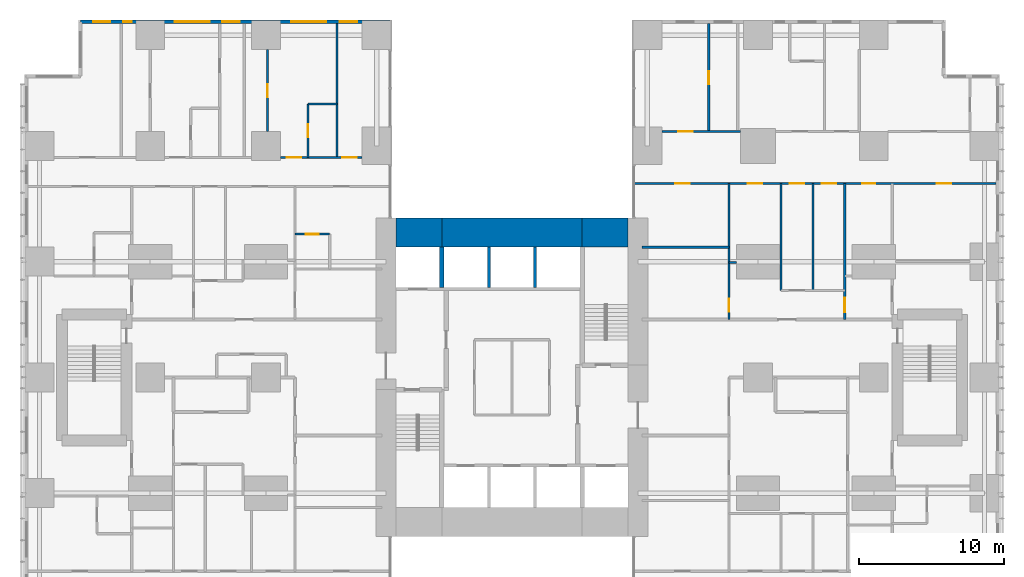
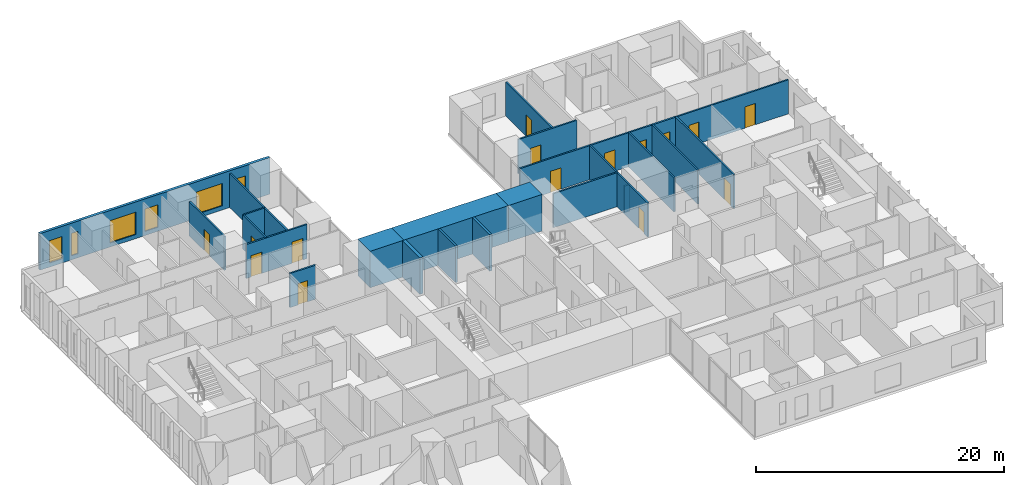
# One storey, part 17 of 20: 22 walls, 15 doors, 6 windows, 21 openings.
"""IFC4 building model written with IfcOpenShell, lengths in metres."""

from ifc_helpers import new_model, si_unit, direction, frame, frame_2d, origin, place, context, subcontext, project, spatial, rectangle, extrude, material, layer, layer_set, type_object, element, fill, save


model = new_model("IFC4")

# Units and contexts
model_context = context("Model", 3, precision=1e-05, world=origin(), true_north=direction((0.0, 1.0)))
body_context = subcontext(model_context, "Body", "Model", "MODEL_VIEW")
ifc_project = project(units=[si_unit("LENGTHUNIT", "METRE"), si_unit("AREAUNIT", "SQUARE_METRE"), si_unit("VOLUMEUNIT", "CUBIC_METRE"), si_unit("PLANEANGLEUNIT", "RADIAN"), si_unit("MASSUNIT", "GRAM", prefix="KILO")], contexts=[model_context])

# Site, building, storey
site_placement = place(None, origin())
site = spatial("IfcSite", under=ifc_project, at=site_placement, CompositionType="ELEMENT")
building_placement = place(site_placement, origin())
building = spatial("IfcBuilding", under=site, at=building_placement, Name="Cleftline Residences", CompositionType="ELEMENT")
storey_placement = place(building_placement, frame((0.0, 0.0, 114.199951171875)))
storey = spatial("IfcBuildingStorey", under=building, at=storey_placement, Name="L29", CompositionType="ELEMENT", Elevation=114.199951171875)

# Walls
ifc_material_1 = material(Name="Concrete B70", Category="concrete")
ifc_layer_1 = layer(ifc_material_1, 2.0)
ifc_layer_set_1 = layer_set([ifc_layer_1], Name="CORE WALL 2000")
wall_type_1 = type_object("IfcWallType", Name="CORE WALL 2000", PredefinedType="SHEAR", material=ifc_layer_set_1)
wall_1_placement = place(storey_placement, frame((25.0, 34.0, 0.0), z_axis=(0.0, 0.0, 1.0), x_axis=(1.0, 0.0, 0.0)))
element("IfcWall", 1, at=wall_1_placement, inside=storey, type_object=wall_type_1, Name="Core wall N1", PredefinedType="SHEAR", context=body_context, shape_type="SweptSolid", body=[
    extrude(rectangle(XDim=3.14990234375, YDim=2.0, at=frame_2d((1.574951171875, 0.0))), origin(), (0.0, 0.0, 1.0), 3.60009765625),
])
wall_2_placement = place(storey_placement, frame((28.14990234375, 34.0, 0.0), z_axis=(0.0, 0.0, 1.0), x_axis=(1.0, 0.0, 0.0)))
element("IfcWall", 2, at=wall_2_placement, inside=storey, type_object=wall_type_1, Name="Core wall N2", PredefinedType="SHEAR", context=body_context, shape_type="SweptSolid", body=[
    extrude(rectangle(XDim=9.7001953125, YDim=2.0, at=frame_2d((4.85009765625, 0.0))), origin(), (0.0, 0.0, 1.0), 3.60009765625),
])
wall_3_placement = place(storey_placement, frame((37.85009765625, 34.0, 0.0), z_axis=(0.0, 0.0, 1.0), x_axis=(1.0, 0.0, 0.0)))
element("IfcWall", 3, at=wall_3_placement, inside=storey, type_object=wall_type_1, Name="Core wall N3", PredefinedType="SHEAR", context=body_context, shape_type="SweptSolid", body=[
    extrude(rectangle(XDim=3.14990234375, YDim=2.0, at=frame_2d((1.574951171875, 0.0))), origin(), (0.0, 0.0, 1.0), 3.60009765625),
])
ifc_material_2 = material(Name="Concrete B70", Category="concrete")
ifc_layer_2 = layer(ifc_material_2, 0.300048828125)
ifc_layer_set_2 = layer_set([ifc_layer_2], Name="CORE WALL 300")
wall_type_2 = type_object("IfcWallType", Name="CORE WALL 300", PredefinedType="SHEAR", material=ifc_layer_set_2)
wall_4_placement = place(storey_placement, frame((28.14990234375, 30.199951171875, 0.0), z_axis=(0.0, 0.0, 1.0), x_axis=(0.0, 1.0, 0.0)))
element("IfcWall", 4, at=wall_4_placement, inside=storey, type_object=wall_type_2, Name="Lift shaft wall", PredefinedType="SHEAR", context=body_context, shape_type="SweptSolid", body=[
    extrude(rectangle(XDim=2.800048828125, YDim=0.300048828125, at=frame_2d((1.39990234375, 0.0))), origin(), (0.0, 0.0, 1.0), 3.60009765625),
])

# Wall, openings, windows
ifc_material_3 = material(Name="Rendered reinforced concrete blockwork", Category="masonry")
ifc_layer_3 = layer(ifc_material_3, 0.25)
ifc_layer_set_3 = layer_set([ifc_layer_3], Name="EXTERNAL WALL 250")
wall_type_3 = type_object("IfcWallType", Name="EXTERNAL WALL 250", PredefinedType="SOLIDWALL", material=ifc_layer_set_3)
wall_5_placement = place(storey_placement, frame((24.574951171875, 48.574951171875, 0.0), z_axis=(0.0, 0.0, 1.0), x_axis=(-1.0, 0.0, 0.0)))
wall_5 = element("IfcWall", 5, at=wall_5_placement, inside=storey, type_object=wall_type_3, Name="External wall", PredefinedType="SOLIDWALL", context=body_context, shape_type="SweptSolid", body=[
    extrude(rectangle(XDim=21.39990234375, YDim=0.25, at=frame_2d((10.699951171875, 0.0))), origin(), (0.0, 0.0, 1.0), 3.60009765625),
])
opening_1_placement = place(wall_5_placement, frame((2.27490234375, 0.0, 0.39990234375)))
opening_1 = element("IfcOpeningElement", 6, at=opening_1_placement, cuts=wall_5, Name="Opening W11", PredefinedType="OPENING", context=body_context, shape_type="SweptSolid", body=[
    extrude(rectangle(XDim=1.199951171875, YDim=2.199951171875, at=frame_2d((0.60009765625, 1.10009765625))), frame((0.0, 0.135009765625, 0.0), z_axis=(0.0, -1.0, 0.0), x_axis=(1.0, 0.0, 0.0)), (0.0, 0.0, 1.0), 0.27001953125),
])
opening_2_placement = place(wall_5_placement, frame((4.425048828125, 0.0, 0.39990234375)))
opening_2 = element("IfcOpeningElement", 7, at=opening_2_placement, cuts=wall_5, Name="Opening W12", PredefinedType="OPENING", context=body_context, shape_type="SweptSolid", body=[
    extrude(rectangle(XDim=2.39990234375, YDim=2.199951171875, at=frame_2d((1.199951171875, 1.10009765625))), frame((0.0, 0.135009765625, 0.0), z_axis=(0.0, -1.0, 0.0), x_axis=(1.0, 0.0, 0.0)), (0.0, 0.0, 1.0), 0.27001953125),
])
opening_3_placement = place(wall_5_placement, frame((10.39990234375, 0.0, 0.39990234375)))
opening_3 = element("IfcOpeningElement", 8, at=opening_3_placement, cuts=wall_5, Name="Opening W11", PredefinedType="OPENING", context=body_context, shape_type="SweptSolid", body=[
    extrude(rectangle(XDim=1.199951171875, YDim=2.199951171875, at=frame_2d((0.60009765625, 1.10009765625))), frame((0.0, 0.135009765625, 0.0), z_axis=(0.0, -1.0, 0.0), x_axis=(1.0, 0.0, 0.0)), (0.0, 0.0, 1.0), 0.27001953125),
])
opening_4_placement = place(wall_5_placement, frame((12.47509765625, 0.0, 0.39990234375)))
opening_4 = element("IfcOpeningElement", 9, at=opening_4_placement, cuts=wall_5, Name="Opening W12", PredefinedType="OPENING", context=body_context, shape_type="SweptSolid", body=[
    extrude(rectangle(XDim=2.39990234375, YDim=2.199951171875, at=frame_2d((1.199951171875, 1.10009765625))), frame((0.0, 0.135009765625, 0.0), z_axis=(0.0, -1.0, 0.0), x_axis=(1.0, 0.0, 0.0)), (0.0, 0.0, 1.0), 0.27001953125),
])
opening_5_placement = place(wall_5_placement, frame((17.85009765625, 0.0, 0.39990234375)))
opening_5 = element("IfcOpeningElement", 10, at=opening_5_placement, cuts=wall_5, Name="Opening W10", PredefinedType="OPENING", context=body_context, shape_type="SweptSolid", body=[
    extrude(rectangle(XDim=0.60009765625, YDim=2.199951171875, at=frame_2d((0.300048828125, 1.10009765625))), frame((0.0, 0.135009765625, 0.0), z_axis=(0.0, -1.0, 0.0), x_axis=(1.0, 0.0, 0.0)), (0.0, 0.0, 1.0), 0.27001953125),
])
opening_6_placement = place(wall_5_placement, frame((19.324951171875, 0.0, 0.39990234375)))
opening_6 = element("IfcOpeningElement", 11, at=opening_6_placement, cuts=wall_5, Name="Opening W11", PredefinedType="OPENING", context=body_context, shape_type="SweptSolid", body=[
    extrude(rectangle(XDim=1.199951171875, YDim=2.199951171875, at=frame_2d((0.60009765625, 1.10009765625))), frame((0.0, 0.135009765625, 0.0), z_axis=(0.0, -1.0, 0.0), x_axis=(1.0, 0.0, 0.0)), (0.0, 0.0, 1.0), 0.27001953125),
])
ifc_material_4 = material(Name="Aluminium frame, clear double glazing", Category="aluminium")
window_type_1 = type_object("IfcWindowType", Name="WINDOW 1200X2200", PartitioningType="DOUBLE_PANEL_VERTICAL", PredefinedType="WINDOW", material=ifc_material_4)
window_1_placement = place(opening_1_placement, origin())
window_1 = element("IfcWindow", 12, at=window_1_placement, inside=storey, type_object=window_type_1, Name="Window", OverallHeight=2.199951171875, OverallWidth=1.199951171875, PartitioningType="SINGLE_PANEL", PredefinedType="WINDOW", context=body_context, shape_type="SweptSolid", body=[
    extrude(rectangle(XDim=1.199951171875, YDim=2.199951171875, at=frame_2d((0.60009765625, 1.10009765625))), frame((0.0, 0.030029296875, 0.0), z_axis=(0.0, -1.0, 0.0), x_axis=(1.0, 0.0, 0.0)), (0.0, 0.0, 1.0), 0.06005859375),
])
fill(opening_1, window_1)
window_2_placement = place(opening_3_placement, origin())
window_2 = element("IfcWindow", 13, at=window_2_placement, inside=storey, type_object=window_type_1, Name="Window", OverallHeight=2.199951171875, OverallWidth=1.199951171875, PartitioningType="SINGLE_PANEL", PredefinedType="WINDOW", context=body_context, shape_type="SweptSolid", body=[
    extrude(rectangle(XDim=1.199951171875, YDim=2.199951171875, at=frame_2d((0.60009765625, 1.10009765625))), frame((0.0, 0.030029296875, 0.0), z_axis=(0.0, -1.0, 0.0), x_axis=(1.0, 0.0, 0.0)), (0.0, 0.0, 1.0), 0.06005859375),
])
fill(opening_3, window_2)
window_3_placement = place(opening_6_placement, origin())
window_3 = element("IfcWindow", 14, at=window_3_placement, inside=storey, type_object=window_type_1, Name="Window", OverallHeight=2.199951171875, OverallWidth=1.199951171875, PartitioningType="SINGLE_PANEL", PredefinedType="WINDOW", context=body_context, shape_type="SweptSolid", body=[
    extrude(rectangle(XDim=1.199951171875, YDim=2.199951171875, at=frame_2d((0.60009765625, 1.10009765625))), frame((0.0, 0.030029296875, 0.0), z_axis=(0.0, -1.0, 0.0), x_axis=(1.0, 0.0, 0.0)), (0.0, 0.0, 1.0), 0.06005859375),
])
fill(opening_6, window_3)
ifc_material_5 = material(Name="Aluminium frame, clear double glazing", Category="aluminium")
window_type_2 = type_object("IfcWindowType", Name="WINDOW 2400X2200", PartitioningType="DOUBLE_PANEL_VERTICAL", PredefinedType="WINDOW", material=ifc_material_5)
window_4_placement = place(opening_2_placement, origin())
window_4 = element("IfcWindow", 15, at=window_4_placement, inside=storey, type_object=window_type_2, Name="Window", OverallHeight=2.199951171875, OverallWidth=2.39990234375, PartitioningType="SINGLE_PANEL", PredefinedType="WINDOW", context=body_context, shape_type="SweptSolid", body=[
    extrude(rectangle(XDim=2.39990234375, YDim=2.199951171875, at=frame_2d((1.199951171875, 1.10009765625))), frame((0.0, 0.030029296875, 0.0), z_axis=(0.0, -1.0, 0.0), x_axis=(1.0, 0.0, 0.0)), (0.0, 0.0, 1.0), 0.06005859375),
])
fill(opening_2, window_4)
window_5_placement = place(opening_4_placement, origin())
window_5 = element("IfcWindow", 16, at=window_5_placement, inside=storey, type_object=window_type_2, Name="Window", OverallHeight=2.199951171875, OverallWidth=2.39990234375, PartitioningType="SINGLE_PANEL", PredefinedType="WINDOW", context=body_context, shape_type="SweptSolid", body=[
    extrude(rectangle(XDim=2.39990234375, YDim=2.199951171875, at=frame_2d((1.199951171875, 1.10009765625))), frame((0.0, 0.030029296875, 0.0), z_axis=(0.0, -1.0, 0.0), x_axis=(1.0, 0.0, 0.0)), (0.0, 0.0, 1.0), 0.06005859375),
])
fill(opening_4, window_5)
ifc_material_6 = material(Name="Aluminium frame, clear double glazing", Category="aluminium")
window_type_3 = type_object("IfcWindowType", Name="WINDOW 600X2200", PartitioningType="DOUBLE_PANEL_VERTICAL", PredefinedType="WINDOW", material=ifc_material_6)
window_6_placement = place(opening_5_placement, origin())
window_6 = element("IfcWindow", 17, at=window_6_placement, inside=storey, type_object=window_type_3, Name="Window", OverallHeight=2.199951171875, OverallWidth=0.60009765625, PartitioningType="SINGLE_PANEL", PredefinedType="WINDOW", context=body_context, shape_type="SweptSolid", body=[
    extrude(rectangle(XDim=0.60009765625, YDim=2.199951171875, at=frame_2d((0.300048828125, 1.10009765625))), frame((0.0, 0.030029296875, 0.0), z_axis=(0.0, -1.0, 0.0), x_axis=(1.0, 0.0, 0.0)), (0.0, 0.0, 1.0), 0.06005859375),
])
fill(opening_5, window_6)

# Walls
ifc_material_7 = material(Name="Gypsum board on steel studs", Category="steel")
ifc_layer_4 = layer(ifc_material_7, 0.14990234375)
ifc_layer_set_4 = layer_set([ifc_layer_4], Name="PARTITION 150")
wall_type_4 = type_object("IfcWallType", Name="PARTITION 150", PredefinedType="PARTITIONING", material=ifc_layer_set_4)
wall_6_placement = place(storey_placement, frame((48.0, 31.949951171875, 0.0), z_axis=(0.0, 0.0, 1.0), x_axis=(1.0, 0.0, 0.0)))
element("IfcWall", 18, at=wall_6_placement, inside=storey, type_object=wall_type_4, Name="Partition", PredefinedType="PARTITIONING", context=body_context, shape_type="SweptSolid", body=[
    extrude(rectangle(XDim=0.5, YDim=0.14990234375, at=frame_2d((0.25, 0.0))), origin(), (0.0, 0.0, 1.0), 2.634033203125),
])
wall_7_placement = place(storey_placement, frame((42.0, 33.0, 0.0), z_axis=(0.0, 0.0, 1.0), x_axis=(1.0, 0.0, 0.0)))
element("IfcWall", 19, at=wall_7_placement, inside=storey, type_object=wall_type_4, Name="Partition", PredefinedType="PARTITIONING", context=body_context, shape_type="SweptSolid", body=[
    extrude(rectangle(XDim=6.0, YDim=0.14990234375, at=frame_2d((3.0, 0.0))), origin(), (0.0, 0.0, 1.0), 3.35009765625),
])

# Wall, opening, door
wall_8_placement = place(storey_placement, frame((18.0, 33.89990234375, 0.0), z_axis=(0.0, 0.0, 1.0), x_axis=(1.0, 0.0, 0.0)))
wall_8 = element("IfcWall", 20, at=wall_8_placement, inside=storey, type_object=wall_type_4, Name="Partition", PredefinedType="PARTITIONING", context=body_context, shape_type="SweptSolid", body=[
    extrude(rectangle(XDim=2.39990234375, YDim=0.14990234375, at=frame_2d((1.199951171875, 0.0))), origin(), (0.0, 0.0, 1.0), 3.35009765625),
])
opening_7_placement = place(wall_8_placement, frame((0.75, 0.0, 0.0)))
opening_7 = element("IfcOpeningElement", 21, at=opening_7_placement, cuts=wall_8, Name="Opening D1", PredefinedType="OPENING", context=body_context, shape_type="SweptSolid", body=[
    extrude(rectangle(XDim=0.89990234375, YDim=2.10009765625, at=frame_2d((0.449951171875, 1.050048828125))), frame((0.0, 0.0849609375, 0.0), z_axis=(0.0, -1.0, 0.0), x_axis=(1.0, 0.0, 0.0)), (0.0, 0.0, 1.0), 0.169921875),
])
ifc_material_8 = material(Name="Timber veneer on solid core", Category="wood")
door_type_1 = type_object("IfcDoorType", Name="DOOR 900X2100", OperationType="SINGLE_SWING_LEFT", PredefinedType="DOOR", material=ifc_material_8)
door_1_placement = place(opening_7_placement, origin())
door_1 = element("IfcDoor", 22, at=door_1_placement, inside=storey, type_object=door_type_1, Name="Door to staff shower room", OperationType="SINGLE_SWING_LEFT", OverallHeight=2.10009765625, OverallWidth=0.89990234375, PredefinedType="DOOR", context=body_context, shape_type="SweptSolid", body=[
    extrude(rectangle(XDim=0.89990234375, YDim=2.10009765625, at=frame_2d((0.449951171875, 1.050048828125))), frame((0.0, 0.02490234375, 0.0), z_axis=(0.0, -1.0, 0.0), x_axis=(1.0, 0.0, 0.0)), (0.0, 0.0, 1.0), 0.050048828125),
])
fill(opening_7, door_1)

# Wall, openings, doors
wall_9_placement = place(storey_placement, frame((41.43896484375, 37.39990234375, 0.0), z_axis=(0.0, 0.0, 1.0), x_axis=(1.0, 0.0, 0.0)))
wall_9 = element("IfcWall", 23, at=wall_9_placement, inside=storey, type_object=wall_type_4, Name="Partition", PredefinedType="PARTITIONING", context=body_context, shape_type="SweptSolid", body=[
    extrude(rectangle(XDim=25.010986328125, YDim=0.14990234375, at=frame_2d((12.50537109375, 0.0))), origin(), (0.0, 0.0, 1.0), 3.35009765625),
])
opening_8_placement = place(wall_9_placement, frame((10.760986328125, 0.0, 0.0)))
opening_8 = element("IfcOpeningElement", 24, at=opening_8_placement, cuts=wall_9, Name="Opening D2", PredefinedType="OPENING", context=body_context, shape_type="SweptSolid", body=[
    extrude(rectangle(XDim=1.0, YDim=2.10009765625, at=frame_2d((0.5, 1.050048828125))), frame((0.0, 0.0849609375, 0.0), z_axis=(0.0, -1.0, 0.0), x_axis=(1.0, 0.0, 0.0)), (0.0, 0.0, 1.0), 0.169921875),
])
opening_9_placement = place(wall_9_placement, frame((20.923583984375, 0.0, 0.0)))
opening_9 = element("IfcOpeningElement", 25, at=opening_9_placement, cuts=wall_9, Name="Opening D2", PredefinedType="OPENING", context=body_context, shape_type="SweptSolid", body=[
    extrude(rectangle(XDim=1.0, YDim=2.10009765625, at=frame_2d((0.5, 1.050048828125))), frame((0.0, 0.0849609375, 0.0), z_axis=(0.0, -1.0, 0.0), x_axis=(1.0, 0.0, 0.0)), (0.0, 0.0, 1.0), 0.169921875),
])
opening_10_placement = place(wall_9_placement, frame((15.74853515625, 0.0, 0.0)))
opening_10 = element("IfcOpeningElement", 26, at=opening_10_placement, cuts=wall_9, Name="Opening D1", PredefinedType="OPENING", context=body_context, shape_type="SweptSolid", body=[
    extrude(rectangle(XDim=0.89990234375, YDim=2.10009765625, at=frame_2d((0.449951171875, 1.050048828125))), frame((0.0, 0.0849609375, 0.0), z_axis=(0.0, -1.0, 0.0), x_axis=(1.0, 0.0, 0.0)), (0.0, 0.0, 1.0), 0.169921875),
])
opening_11_placement = place(wall_9_placement, frame((12.9609375, 0.0, 0.0)))
opening_11 = element("IfcOpeningElement", 27, at=opening_11_placement, cuts=wall_9, Name="Opening D2", PredefinedType="OPENING", context=body_context, shape_type="SweptSolid", body=[
    extrude(rectangle(XDim=1.0, YDim=2.10009765625, at=frame_2d((0.5, 1.050048828125))), frame((0.0, 0.0849609375, 0.0), z_axis=(0.0, -1.0, 0.0), x_axis=(1.0, 0.0, 0.0)), (0.0, 0.0, 1.0), 0.169921875),
])
opening_12_placement = place(wall_9_placement, frame((7.861083984375, 0.0, 0.0)))
opening_12 = element("IfcOpeningElement", 28, at=opening_12_placement, cuts=wall_9, Name="Opening D2", PredefinedType="OPENING", context=body_context, shape_type="SweptSolid", body=[
    extrude(rectangle(XDim=1.0, YDim=2.10009765625, at=frame_2d((0.5, 1.050048828125))), frame((0.0, 0.0849609375, 0.0), z_axis=(0.0, -1.0, 0.0), x_axis=(1.0, 0.0, 0.0)), (0.0, 0.0, 1.0), 0.169921875),
])
opening_13_placement = place(wall_9_placement, frame((2.8359375, 0.0, 0.0)))
opening_13 = element("IfcOpeningElement", 29, at=opening_13_placement, cuts=wall_9, Name="Opening D2", PredefinedType="OPENING", context=body_context, shape_type="SweptSolid", body=[
    extrude(rectangle(XDim=1.0, YDim=2.10009765625, at=frame_2d((0.5, 1.050048828125))), frame((0.0, 0.0849609375, 0.0), z_axis=(0.0, -1.0, 0.0), x_axis=(1.0, 0.0, 0.0)), (0.0, 0.0, 1.0), 0.169921875),
])
ifc_material_9 = material(Name="Timber veneer on solid core", Category="wood")
door_type_2 = type_object("IfcDoorType", Name="DOOR 1000X2100", OperationType="SINGLE_SWING_LEFT", PredefinedType="DOOR", material=ifc_material_9)
door_2_placement = place(opening_8_placement, origin())
door_2 = element("IfcDoor", 30, at=door_2_placement, inside=storey, type_object=door_type_2, Name="Door to residence hall", OperationType="SINGLE_SWING_RIGHT", OverallHeight=2.10009765625, OverallWidth=1.0, PredefinedType="DOOR", context=body_context, shape_type="SweptSolid", body=[
    extrude(rectangle(XDim=1.0, YDim=2.10009765625, at=frame_2d((0.5, 1.050048828125))), frame((0.0, 0.02490234375, 0.0), z_axis=(0.0, -1.0, 0.0), x_axis=(1.0, 0.0, 0.0)), (0.0, 0.0, 1.0), 0.050048828125),
])
fill(opening_8, door_2)
door_3_placement = place(opening_9_placement, origin())
door_3 = element("IfcDoor", 31, at=door_3_placement, inside=storey, type_object=door_type_2, Name="Door to sea-view living room", OperationType="SINGLE_SWING_LEFT", OverallHeight=2.10009765625, OverallWidth=1.0, PredefinedType="DOOR", context=body_context, shape_type="SweptSolid", body=[
    extrude(rectangle(XDim=1.0, YDim=2.10009765625, at=frame_2d((0.5, 1.050048828125))), frame((0.0, 0.02490234375, 0.0), z_axis=(0.0, -1.0, 0.0), x_axis=(1.0, 0.0, 0.0)), (0.0, 0.0, 1.0), 0.050048828125),
])
fill(opening_9, door_3)
door_4_placement = place(opening_11_placement, origin())
door_4 = element("IfcDoor", 32, at=door_4_placement, inside=storey, type_object=door_type_2, Name="Door to show kitchen", OperationType="SINGLE_SWING_LEFT", OverallHeight=2.10009765625, OverallWidth=1.0, PredefinedType="DOOR", context=body_context, shape_type="SweptSolid", body=[
    extrude(rectangle(XDim=1.0, YDim=2.10009765625, at=frame_2d((0.5, 1.050048828125))), frame((0.0, 0.02490234375, 0.0), z_axis=(0.0, -1.0, 0.0), x_axis=(1.0, 0.0, 0.0)), (0.0, 0.0, 1.0), 0.050048828125),
])
fill(opening_11, door_4)
door_5_placement = place(opening_12_placement, origin())
door_5 = element("IfcDoor", 33, at=door_5_placement, inside=storey, type_object=door_type_2, Name="Door to wet kitchen", OperationType="SINGLE_SWING_RIGHT", OverallHeight=2.10009765625, OverallWidth=1.0, PredefinedType="DOOR", context=body_context, shape_type="SweptSolid", body=[
    extrude(rectangle(XDim=1.0, YDim=2.10009765625, at=frame_2d((0.5, 1.050048828125))), frame((0.0, 0.02490234375, 0.0), z_axis=(0.0, -1.0, 0.0), x_axis=(1.0, 0.0, 0.0)), (0.0, 0.0, 1.0), 0.050048828125),
])
fill(opening_12, door_5)
door_6_placement = place(opening_13_placement, origin())
door_6 = element("IfcDoor", 34, at=door_6_placement, inside=storey, type_object=door_type_2, Name="Door to study", OperationType="SINGLE_SWING_RIGHT", OverallHeight=2.10009765625, OverallWidth=1.0, PredefinedType="DOOR", context=body_context, shape_type="SweptSolid", body=[
    extrude(rectangle(XDim=1.0, YDim=2.10009765625, at=frame_2d((0.5, 1.050048828125))), frame((0.0, 0.02490234375, 0.0), z_axis=(0.0, -1.0, 0.0), x_axis=(1.0, 0.0, 0.0)), (0.0, 0.0, 1.0), 0.050048828125),
])
fill(opening_13, door_6)
door_7_placement = place(opening_10_placement, origin())
door_7 = element("IfcDoor", 35, at=door_7_placement, inside=storey, type_object=door_type_1, Name="Door to master bathroom", OperationType="SINGLE_SWING_LEFT", OverallHeight=2.10009765625, OverallWidth=0.89990234375, PredefinedType="DOOR", context=body_context, shape_type="SweptSolid", body=[
    extrude(rectangle(XDim=0.89990234375, YDim=2.10009765625, at=frame_2d((0.449951171875, 1.050048828125))), frame((0.0, 0.02490234375, 0.0), z_axis=(0.0, -1.0, 0.0), x_axis=(1.0, 0.0, 0.0)), (0.0, 0.0, 1.0), 0.050048828125),
])
fill(opening_10, door_7)

wall_10_placement = place(storey_placement, frame((17.0, 39.199951171875, 0.0), z_axis=(0.0, 0.0, 1.0), x_axis=(1.0, 0.0, 0.0)))
wall_10 = element("IfcWall", 36, at=wall_10_placement, inside=storey, type_object=wall_type_4, Name="Partition", PredefinedType="PARTITIONING", context=body_context, shape_type="SweptSolid", body=[
    extrude(rectangle(XDim=5.64990234375, YDim=0.14990234375, at=frame_2d((2.824951171875, 0.0))), origin(), (0.0, 0.0, 1.0), 3.35009765625),
])
opening_14_placement = place(wall_10_placement, frame((0.449951171875, 0.0, 0.0)))
opening_14 = element("IfcOpeningElement", 37, at=opening_14_placement, cuts=wall_10, Name="Opening D2", PredefinedType="OPENING", context=body_context, shape_type="SweptSolid", body=[
    extrude(rectangle(XDim=1.0, YDim=2.10009765625, at=frame_2d((0.5, 1.050048828125))), frame((0.0, 0.0849609375, 0.0), z_axis=(0.0, -1.0, 0.0), x_axis=(1.0, 0.0, 0.0)), (0.0, 0.0, 1.0), 0.169921875),
])
opening_15_placement = place(wall_10_placement, frame((4.27490234375, 0.0, 0.0)))
opening_15 = element("IfcOpeningElement", 38, at=opening_15_placement, cuts=wall_10, Name="Opening D2", PredefinedType="OPENING", context=body_context, shape_type="SweptSolid", body=[
    extrude(rectangle(XDim=1.0, YDim=2.10009765625, at=frame_2d((0.5, 1.050048828125))), frame((0.0, 0.0849609375, 0.0), z_axis=(0.0, -1.0, 0.0), x_axis=(1.0, 0.0, 0.0)), (0.0, 0.0, 1.0), 0.169921875),
])
door_8_placement = place(opening_14_placement, origin())
door_8 = element("IfcDoor", 39, at=door_8_placement, inside=storey, type_object=door_type_2, Name="Door to bedroom 3", OperationType="SINGLE_SWING_RIGHT", OverallHeight=2.10009765625, OverallWidth=1.0, PredefinedType="DOOR", context=body_context, shape_type="SweptSolid", body=[
    extrude(rectangle(XDim=1.0, YDim=2.10009765625, at=frame_2d((0.5, 1.050048828125))), frame((0.0, 0.02490234375, 0.0), z_axis=(0.0, -1.0, 0.0), x_axis=(1.0, 0.0, 0.0)), (0.0, 0.0, 1.0), 0.050048828125),
])
fill(opening_14, door_8)
door_9_placement = place(opening_15_placement, origin())
door_9 = element("IfcDoor", 40, at=door_9_placement, inside=storey, type_object=door_type_2, Name="Door to bedroom 3 sitting room", OperationType="SINGLE_SWING_LEFT", OverallHeight=2.10009765625, OverallWidth=1.0, PredefinedType="DOOR", context=body_context, shape_type="SweptSolid", body=[
    extrude(rectangle(XDim=1.0, YDim=2.10009765625, at=frame_2d((0.5, 1.050048828125))), frame((0.0, 0.02490234375, 0.0), z_axis=(0.0, -1.0, 0.0), x_axis=(1.0, 0.0, 0.0)), (0.0, 0.0, 1.0), 0.050048828125),
])
fill(opening_15, door_9)

# Wall, opening, door
wall_11_placement = place(storey_placement, frame((43.35009765625, 41.0, 0.0), z_axis=(0.0, 0.0, 1.0), x_axis=(1.0, 0.0, 0.0)))
wall_11 = element("IfcWall", 41, at=wall_11_placement, inside=storey, type_object=wall_type_4, Name="Partition", PredefinedType="PARTITIONING", context=body_context, shape_type="SweptSolid", body=[
    extrude(rectangle(XDim=5.449951171875, YDim=0.14990234375, at=frame_2d((2.72509765625, 0.0))), origin(), (0.0, 0.0, 1.0), 3.35009765625),
])
opening_16_placement = place(wall_11_placement, frame((1.125, 0.0, 0.0)))
opening_16 = element("IfcOpeningElement", 42, at=opening_16_placement, cuts=wall_11, Name="Opening D2", PredefinedType="OPENING", context=body_context, shape_type="SweptSolid", body=[
    extrude(rectangle(XDim=1.0, YDim=2.10009765625, at=frame_2d((0.5, 1.050048828125))), frame((0.0, 0.0849609375, 0.0), z_axis=(0.0, -1.0, 0.0), x_axis=(1.0, 0.0, 0.0)), (0.0, 0.0, 1.0), 0.169921875),
])
door_10_placement = place(opening_16_placement, origin())
door_10 = element("IfcDoor", 43, at=door_10_placement, inside=storey, type_object=door_type_2, Name="Door to bedroom 3", OperationType="SINGLE_SWING_RIGHT", OverallHeight=2.10009765625, OverallWidth=1.0, PredefinedType="DOOR", context=body_context, shape_type="SweptSolid", body=[
    extrude(rectangle(XDim=1.0, YDim=2.10009765625, at=frame_2d((0.5, 1.050048828125))), frame((0.0, 0.02490234375, 0.0), z_axis=(0.0, -1.0, 0.0), x_axis=(1.0, 0.0, 0.0)), (0.0, 0.0, 1.0), 0.050048828125),
])
fill(opening_16, door_10)

# Wall
wall_12_placement = place(storey_placement, frame((18.89990234375, 42.89990234375, 0.0), z_axis=(0.0, 0.0, 1.0), x_axis=(1.0, 0.0, 0.0)))
element("IfcWall", 44, at=wall_12_placement, inside=storey, type_object=wall_type_4, Name="Partition", PredefinedType="PARTITIONING", context=body_context, shape_type="SweptSolid", body=[
    extrude(rectangle(XDim=2.0, YDim=0.14990234375, at=frame_2d((1.0, 0.0))), origin(), (0.0, 0.0, 1.0), 3.35009765625),
])

# Wall, opening, door
wall_13_placement = place(storey_placement, frame((16.10009765625, 41.0, 0.0), z_axis=(0.0, 0.0, 1.0), x_axis=(0.0, 1.0, 0.0)))
wall_13 = element("IfcWall", 45, at=wall_13_placement, inside=storey, type_object=wall_type_4, Name="Partition", PredefinedType="PARTITIONING", context=body_context, shape_type="SweptSolid", body=[
    extrude(rectangle(XDim=5.64990234375, YDim=0.14990234375, at=frame_2d((2.824951171875, 0.0))), origin(), (0.0, 0.0, 1.0), 3.35009765625),
])
opening_17_placement = place(wall_13_placement, frame((2.375, 0.0, 0.0)))
opening_17 = element("IfcOpeningElement", 46, at=opening_17_placement, cuts=wall_13, Name="Opening D1", PredefinedType="OPENING", context=body_context, shape_type="SweptSolid", body=[
    extrude(rectangle(XDim=0.89990234375, YDim=2.10009765625, at=frame_2d((0.449951171875, 1.050048828125))), frame((0.0, 0.0849609375, 0.0), z_axis=(0.0, -1.0, 0.0), x_axis=(1.0, 0.0, 0.0)), (0.0, 0.0, 1.0), 0.169921875),
])
door_11_placement = place(opening_17_placement, origin())
door_11 = element("IfcDoor", 47, at=door_11_placement, inside=storey, type_object=door_type_1, Name="Door to walk-in wardrobe", OperationType="SINGLE_SWING_LEFT", OverallHeight=2.10009765625, OverallWidth=0.89990234375, PredefinedType="DOOR", context=body_context, shape_type="SweptSolid", body=[
    extrude(rectangle(XDim=0.89990234375, YDim=2.10009765625, at=frame_2d((0.449951171875, 1.050048828125))), frame((0.0, 0.02490234375, 0.0), z_axis=(0.0, -1.0, 0.0), x_axis=(1.0, 0.0, 0.0)), (0.0, 0.0, 1.0), 0.050048828125),
])
fill(opening_17, door_11)

wall_14_placement = place(storey_placement, frame((18.89990234375, 39.199951171875, 0.0), z_axis=(0.0, 0.0, 1.0), x_axis=(0.0, 1.0, 0.0)))
wall_14 = element("IfcWall", 48, at=wall_14_placement, inside=storey, type_object=wall_type_4, Name="Partition", PredefinedType="PARTITIONING", context=body_context, shape_type="SweptSolid", body=[
    extrude(rectangle(XDim=3.699951171875, YDim=0.14990234375, at=frame_2d((1.85009765625, 0.0))), origin(), (0.0, 0.0, 1.0), 3.35009765625),
])
opening_18_placement = place(wall_14_placement, frame((1.39990234375, 0.0, 0.0)))
opening_18 = element("IfcOpeningElement", 49, at=opening_18_placement, cuts=wall_14, Name="Opening D1", PredefinedType="OPENING", context=body_context, shape_type="SweptSolid", body=[
    extrude(rectangle(XDim=0.89990234375, YDim=2.10009765625, at=frame_2d((0.449951171875, 1.050048828125))), frame((0.0, 0.0849609375, 0.0), z_axis=(0.0, -1.0, 0.0), x_axis=(1.0, 0.0, 0.0)), (0.0, 0.0, 1.0), 0.169921875),
])
door_12_placement = place(opening_18_placement, origin())
door_12 = element("IfcDoor", 50, at=door_12_placement, inside=storey, type_object=door_type_1, Name="Door to en-suite bathroom 3", OperationType="SINGLE_SWING_LEFT", OverallHeight=2.10009765625, OverallWidth=0.89990234375, PredefinedType="DOOR", context=body_context, shape_type="SweptSolid", body=[
    extrude(rectangle(XDim=0.89990234375, YDim=2.10009765625, at=frame_2d((0.449951171875, 1.050048828125))), frame((0.0, 0.02490234375, 0.0), z_axis=(0.0, -1.0, 0.0), x_axis=(1.0, 0.0, 0.0)), (0.0, 0.0, 1.0), 0.050048828125),
])
fill(opening_18, door_12)

# Wall
wall_15_placement = place(storey_placement, frame((20.89990234375, 39.199951171875, 0.0), z_axis=(0.0, 0.0, 1.0), x_axis=(0.0, 1.0, 0.0)))
element("IfcWall", 51, at=wall_15_placement, inside=storey, type_object=wall_type_4, Name="Partition", PredefinedType="PARTITIONING", context=body_context, shape_type="SweptSolid", body=[
    extrude(rectangle(XDim=9.25, YDim=0.14990234375, at=frame_2d((4.625, 0.0))), origin(), (0.0, 0.0, 1.0), 3.35009765625),
])

# Wall, opening, door
wall_16_placement = place(storey_placement, frame((46.60009765625, 41.0, 0.0), z_axis=(0.0, 0.0, 1.0), x_axis=(0.0, 1.0, 0.0)))
wall_16 = element("IfcWall", 52, at=wall_16_placement, inside=storey, type_object=wall_type_4, Name="Partition", PredefinedType="PARTITIONING", context=body_context, shape_type="SweptSolid", body=[
    extrude(rectangle(XDim=7.449951171875, YDim=0.14990234375, at=frame_2d((3.72509765625, 0.0))), origin(), (0.0, 0.0, 1.0), 3.35009765625),
])
opening_19_placement = place(wall_16_placement, frame((3.27490234375, 0.0, 0.0)))
opening_19 = element("IfcOpeningElement", 53, at=opening_19_placement, cuts=wall_16, Name="Opening D1", PredefinedType="OPENING", context=body_context, shape_type="SweptSolid", body=[
    extrude(rectangle(XDim=0.89990234375, YDim=2.10009765625, at=frame_2d((0.449951171875, 1.050048828125))), frame((0.0, 0.0849609375, 0.0), z_axis=(0.0, -1.0, 0.0), x_axis=(1.0, 0.0, 0.0)), (0.0, 0.0, 1.0), 0.169921875),
])
door_13_placement = place(opening_19_placement, origin())
door_13 = element("IfcDoor", 54, at=door_13_placement, inside=storey, type_object=door_type_1, Name="Door to en-suite bathroom 3", OperationType="SINGLE_SWING_LEFT", OverallHeight=2.10009765625, OverallWidth=0.89990234375, PredefinedType="DOOR", context=body_context, shape_type="SweptSolid", body=[
    extrude(rectangle(XDim=0.89990234375, YDim=2.10009765625, at=frame_2d((0.449951171875, 1.050048828125))), frame((0.0, 0.02490234375, 0.0), z_axis=(0.0, -1.0, 0.0), x_axis=(1.0, 0.0, 0.0)), (0.0, 0.0, 1.0), 0.050048828125),
])
fill(opening_19, door_13)

wall_17_placement = place(storey_placement, frame((48.0, 28.0, 0.0), z_axis=(0.0, 0.0, 1.0), x_axis=(0.0, 1.0, 0.0)))
wall_17 = element("IfcWall", 55, at=wall_17_placement, inside=storey, type_object=wall_type_4, Name="Partition", PredefinedType="PARTITIONING", context=body_context, shape_type="SweptSolid", body=[
    extrude(rectangle(XDim=9.39990234375, YDim=0.14990234375, at=frame_2d((4.699951171875, 0.0))), origin(), (0.0, 0.0, 1.0), 3.35009765625),
])
opening_20_placement = place(wall_17_placement, frame((0.550048828125, 0.0, 0.0)))
opening_20 = element("IfcOpeningElement", 56, at=opening_20_placement, cuts=wall_17, Name="Opening D1", PredefinedType="OPENING", context=body_context, shape_type="SweptSolid", body=[
    extrude(rectangle(XDim=0.89990234375, YDim=2.10009765625, at=frame_2d((0.449951171875, 1.050048828125))), frame((0.0, 0.0849609375, 0.0), z_axis=(0.0, -1.0, 0.0), x_axis=(1.0, 0.0, 0.0)), (0.0, 0.0, 1.0), 0.169921875),
])
door_14_placement = place(opening_20_placement, origin())
door_14 = element("IfcDoor", 57, at=door_14_placement, inside=storey, type_object=door_type_1, Name="Door to laundry", OperationType="SINGLE_SWING_RIGHT", OverallHeight=2.10009765625, OverallWidth=0.89990234375, PredefinedType="DOOR", context=body_context, shape_type="SweptSolid", body=[
    extrude(rectangle(XDim=0.89990234375, YDim=2.10009765625, at=frame_2d((0.449951171875, 1.050048828125))), frame((0.0, 0.02490234375, 0.0), z_axis=(0.0, -1.0, 0.0), x_axis=(1.0, 0.0, 0.0)), (0.0, 0.0, 1.0), 0.050048828125),
])
fill(opening_20, door_14)

# Walls
for number, where, z_axis, x_axis, name in (
    (58, (51.60009765625, 30.0, 0.0), (0.0, 0.0, 1.0), (0.0, 1.0, 0.0), "Partition"),
    (59, (53.800048828125, 30.0, 0.0), (0.0, 0.0, 1.0), (0.0, 1.0, 0.0), "Partition"),
):
    element("IfcWall", number, at=place(storey_placement, frame(where, z_axis=z_axis, x_axis=x_axis)), inside=storey, type_object=wall_type_4, Name=name, PredefinedType="PARTITIONING", context=body_context, shape_type="SweptSolid", body=[
        extrude(rectangle(XDim=7.39990234375, YDim=0.14990234375, at=frame_2d((3.699951171875, 0.0))), origin(), (0.0, 0.0, 1.0), 3.35009765625),
    ])

# Wall, opening, door
wall_18_placement = place(storey_placement, frame((56.0, 28.0, 0.0), z_axis=(0.0, 0.0, 1.0), x_axis=(0.0, 1.0, 0.0)))
wall_18 = element("IfcWall", 60, at=wall_18_placement, inside=storey, type_object=wall_type_4, Name="Partition", PredefinedType="PARTITIONING", context=body_context, shape_type="SweptSolid", body=[
    extrude(rectangle(XDim=9.39990234375, YDim=0.14990234375, at=frame_2d((4.699951171875, 0.0))), origin(), (0.0, 0.0, 1.0), 3.35009765625),
])
opening_21_placement = place(wall_18_placement, frame((0.5, 0.0, 0.0)))
opening_21 = element("IfcOpeningElement", 61, at=opening_21_placement, cuts=wall_18, Name="Opening D2F30", PredefinedType="OPENING", context=body_context, shape_type="SweptSolid", body=[
    extrude(rectangle(XDim=1.0, YDim=2.10009765625, at=frame_2d((0.5, 1.050048828125))), frame((0.0, 0.0849609375, 0.0), z_axis=(0.0, -1.0, 0.0), x_axis=(1.0, 0.0, 0.0)), (0.0, 0.0, 1.0), 0.169921875),
])
ifc_material_10 = material(Name="Timber veneer on solid core", Category="wood")
door_type_3 = type_object("IfcDoorType", Name="DOOR 1000X2100 EI 30", OperationType="SINGLE_SWING_LEFT", PredefinedType="DOOR", material=ifc_material_10)
door_15_placement = place(opening_21_placement, origin())
door_15 = element("IfcDoor", 62, at=door_15_placement, inside=storey, type_object=door_type_3, Name="Door to residence lobby (service)", OperationType="SINGLE_SWING_RIGHT", OverallHeight=2.10009765625, OverallWidth=1.0, PredefinedType="DOOR", context=body_context, shape_type="SweptSolid", body=[
    extrude(rectangle(XDim=1.0, YDim=2.10009765625, at=frame_2d((0.5, 1.050048828125))), frame((0.0, 0.02490234375, 0.0), z_axis=(0.0, -1.0, 0.0), x_axis=(1.0, 0.0, 0.0)), (0.0, 0.0, 1.0), 0.050048828125),
])
fill(opening_21, door_15)

# Walls
ifc_material_11 = material(Name="Concrete blockwork, fire rated", Category="masonry")
ifc_layer_5 = layer(ifc_material_11, 0.199951171875)
ifc_layer_set_5 = layer_set([ifc_layer_5], Name="SHAFT WALL 200")
wall_type_5 = type_object("IfcWallType", Name="SHAFT WALL 200", PredefinedType="PARTITIONING", material=ifc_layer_set_5)
for number, where, z_axis, x_axis, name in (
    (63, (31.39990234375, 30.199951171875, 0.0), (0.0, 0.0, 1.0), (0.0, 1.0, 0.0), "Lift shaft wall"),
    (64, (34.60009765625, 30.199951171875, 0.0), (0.0, 0.0, 1.0), (0.0, 1.0, 0.0), "Lift shaft wall"),
):
    element("IfcWall", number, at=place(storey_placement, frame(where, z_axis=z_axis, x_axis=x_axis)), inside=storey, type_object=wall_type_5, Name=name, PredefinedType="PARTITIONING", context=body_context, shape_type="SweptSolid", body=[
        extrude(rectangle(XDim=2.800048828125, YDim=0.199951171875, at=frame_2d((1.39990234375, 0.0))), origin(), (0.0, 0.0, 1.0), 3.60009765625),
    ])

save(model, "model.ifc")
